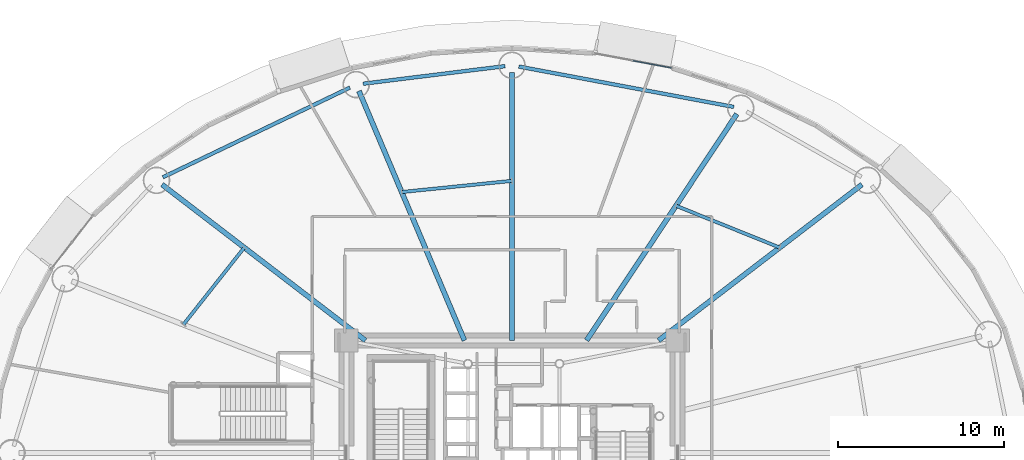
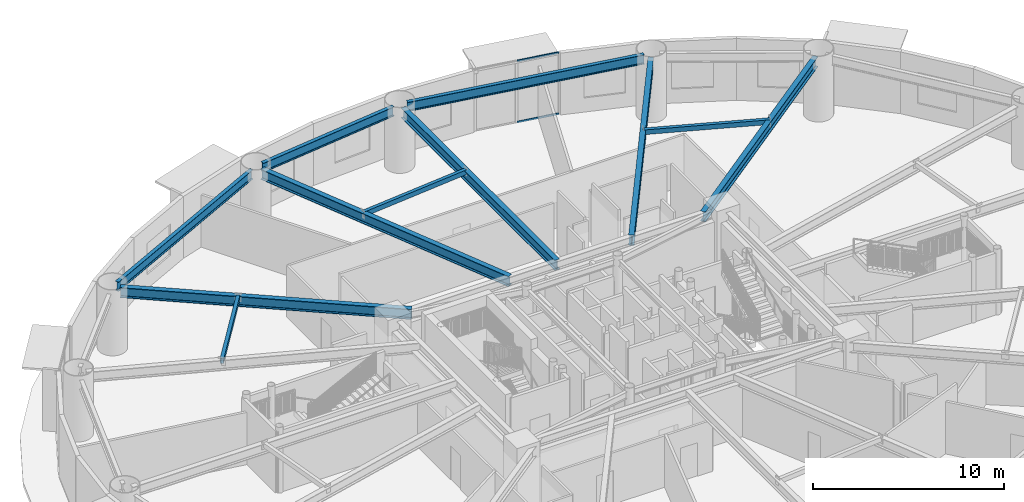
# One storey, part 11 of 35: 11 beams, 2 members, 1 element without a shape of its own.
"""IFC4 building model written with IfcOpenShell, lengths in metres."""

from ifc_helpers import new_model, si_unit, direction, frame, origin, origin_2d, place, context, subcontext, project, spatial, hollow_rectangle, i_section, extrude, source, transform, mapped, material, layer, layer_set, material_profile, profile_set, type_object, element, aggregate, save


model = new_model("IFC4")

# Units and contexts
model_context = context("Model", 3, precision=1e-05, world=origin(), true_north=direction((0.0, 1.0)))
body_context = subcontext(model_context, "Body", "Model", "MODEL_VIEW")
ifc_project = project(units=[si_unit("LENGTHUNIT", "METRE"), si_unit("AREAUNIT", "SQUARE_METRE"), si_unit("VOLUMEUNIT", "CUBIC_METRE"), si_unit("PLANEANGLEUNIT", "RADIAN"), si_unit("MASSUNIT", "GRAM", prefix="KILO")], contexts=[model_context])

# Site, building, storey
site_placement = place(None, origin())
site = spatial("IfcSite", under=ifc_project, at=site_placement, CompositionType="ELEMENT")
building_placement = place(site_placement, origin())
building = spatial("IfcBuilding", under=site, at=building_placement, Name="Linh Dai School and Residence Tower", CompositionType="ELEMENT")
storey_placement = place(building_placement, frame((0.0, 0.0, 32.39990234375)))
storey = spatial("IfcBuildingStorey", under=building, at=storey_placement, Name="L07", CompositionType="ELEMENT", Elevation=32.39990234375)

# Beams
ifc_material_1 = material(Name="Structural Steel S355JR", Category="steel")
ifc_material_profile_1 = material_profile(ifc_material_1, hollow_rectangle(XDim=0.199951171875, YDim=0.300048828125, WallThickness=0.010009765625, at=origin_2d()), Name="RHS 300x200x10")
ifc_profile_set_1 = profile_set([ifc_material_profile_1], Name="Structural Steel S355JR")
beam_type_1 = type_object("IfcBeamType", Name="BM-BX3", PredefinedType="BEAM", material=ifc_profile_set_1)
beam_1_placement = place(storey_placement, frame((52.078125, 39.3310546875, 3.800048828125), z_axis=(-0.927542803202, 0.373716935968, 0.0), x_axis=(-0.373716935968, -0.927542803202, 0.0)))
element("IfcBeam", 1, at=beam_1_placement, inside=storey, type_object=beam_type_1, Name="L07 Secondary Circumferential Floor Beam 02", PredefinedType="BEAM", context=body_context, shape_type="SweptSolid", body=[
    extrude(hollow_rectangle(XDim=0.199951171875, YDim=0.300048828125, WallThickness=0.010009765625, at=origin_2d()), origin(), (0.0, 0.0, 1.0), 6.709716796875),
])
beam_2_placement = place(storey_placement, frame((35.9951171875, 43.3369140625, 3.800048828125), z_axis=(-0.99488448114, -0.10101915257, 0.0), x_axis=(0.10101915257, -0.99488448114, 0.0)))
element("IfcBeam", 2, at=beam_2_placement, inside=storey, type_object=beam_type_1, Name="L07 Secondary Circumferential Floor Beam 03", PredefinedType="BEAM", context=body_context, shape_type="SweptSolid", body=[
    extrude(hollow_rectangle(XDim=0.199951171875, YDim=0.300048828125, WallThickness=0.010009765625, at=origin_2d()), origin(), (0.0, 0.0, 1.0), 6.65087890625),
])
beam_3_placement = place(storey_placement, frame((19.914306640625, 39.3251953125, 3.800048828125), z_axis=(-0.620188156993, -0.784453089691, 0.0), x_axis=(0.784453089691, -0.620188156993, 0.0)))
element("IfcBeam", 3, at=beam_3_placement, inside=storey, type_object=beam_type_1, Name="L07 Secondary Circumferential Floor Beam 04", PredefinedType="BEAM", context=body_context, shape_type="SweptSolid", body=[
    extrude(hollow_rectangle(XDim=0.199951171875, YDim=0.300048828125, WallThickness=0.010009765625, at=origin_2d()), origin(), (0.0, 0.0, 1.0), 5.89306640625),
])
ifc_material_profile_2 = material_profile(ifc_material_1, i_section(OverallWidth=0.219970703125, OverallDepth=0.60009765625, WebThickness=0.011962890625, FlangeThickness=0.01904296875, FilletRadius=0.02392578125, at=origin_2d()), Name="IPE 600")
ifc_profile_set_2 = profile_set([ifc_material_profile_2], Name="Structural Steel S355JR")
beam_type_2 = type_object("IfcBeamType", Name="BM-RB60", PredefinedType="BEAM", material=ifc_profile_set_2)
beam_4_placement = place(storey_placement, frame((49.32568359375, 47.776611328125, 3.650146484375), z_axis=(-0.982808389171, 0.184628465236, 0.0), x_axis=(-0.184628465236, -0.982808389171, 0.0)))
element("IfcBeam", 4, at=beam_4_placement, inside=storey, type_object=beam_type_2, Name="L07 Perimeter Elliptical Ring Beam 04", PredefinedType="BEAM", context=body_context, shape_type="SweptSolid", body=[
    extrude(i_section(OverallWidth=0.219970703125, OverallDepth=0.60009765625, WebThickness=0.011962890625, FlangeThickness=0.01904296875, FilletRadius=0.02392578125, at=origin_2d()), origin(), (0.0, 0.0, 1.0), 13.138671875),
])
beam_5_placement = place(storey_placement, frame((35.583251953125, 50.228271484375, 3.650146484375), z_axis=(-0.99240113372, -0.123044665842, 0.0), x_axis=(0.123044665842, -0.99240113372, 0.0)))
element("IfcBeam", 5, at=beam_5_placement, inside=storey, type_object=beam_type_2, Name="L07 Perimeter Elliptical Ring Beam 05", PredefinedType="BEAM", context=body_context, shape_type="SweptSolid", body=[
    extrude(i_section(OverallWidth=0.219970703125, OverallDepth=0.60009765625, WebThickness=0.011962890625, FlangeThickness=0.01904296875, FilletRadius=0.02392578125, at=origin_2d()), origin(), (0.0, 0.0, 1.0), 8.58935546875),
])
beam_6_placement = place(storey_placement, frame((26.263427734375, 48.938232421875, 3.650146484375), z_axis=(-0.901728693485, -0.432302398034, 0.0), x_axis=(0.432302398034, -0.901728693485, 0.0)))
element("IfcBeam", 6, at=beam_6_placement, inside=storey, type_object=beam_type_2, Name="L07 Perimeter Elliptical Ring Beam 06", PredefinedType="BEAM", context=body_context, shape_type="SweptSolid", body=[
    extrude(i_section(OverallWidth=0.219970703125, OverallDepth=0.60009765625, WebThickness=0.011962890625, FlangeThickness=0.01904296875, FilletRadius=0.02392578125, at=origin_2d()), origin(), (0.0, 0.0, 1.0), 12.462158203125),
])
ifc_material_profile_3 = material_profile(ifc_material_1, i_section(OverallWidth=0.300048828125, OverallDepth=0.64990234375, WebThickness=0.01611328125, FlangeThickness=0.031005859375, FilletRadius=0.027099609375, at=origin_2d()), Name="HEB 650")
ifc_profile_set_3 = profile_set([ifc_material_profile_3], Name="Structural Steel S355JR")
beam_type_3 = type_object("IfcBeamType", Name="BM-RG65", PredefinedType="BEAM", material=ifc_profile_set_3)
beam_7_placement = place(storey_placement, frame((44.804931640625, 33.75, 3.625), z_axis=(0.793637764155, 0.608390581212, 0.0), x_axis=(-0.608390581212, 0.793637764155, 0.0)))
element("IfcBeam", 7, at=beam_7_placement, inside=storey, type_object=beam_type_3, Name="L07 Primary Radial Floor Girder 03", PredefinedType="BEAM", context=body_context, shape_type="SweptSolid", body=[
    extrude(i_section(OverallWidth=0.300048828125, OverallDepth=0.64990234375, WebThickness=0.01611328125, FlangeThickness=0.031005859375, FilletRadius=0.027099609375, at=origin_2d()), origin(), (0.0, 0.0, 1.0), 15.390625),
])
beam_8_placement = place(storey_placement, frame((40.47998046875, 33.75, 3.625), z_axis=(0.55300421354, 0.833178456158, 0.0), x_axis=(-0.833178456158, 0.55300421354, 0.0)))
element("IfcBeam", 8, at=beam_8_placement, inside=storey, type_object=beam_type_3, Name="L07 Primary Radial Floor Girder 04", PredefinedType="BEAM", context=body_context, shape_type="SweptSolid", body=[
    extrude(i_section(OverallWidth=0.300048828125, OverallDepth=0.64990234375, WebThickness=0.01611328125, FlangeThickness=0.031005859375, FilletRadius=0.027099609375, at=origin_2d()), origin(), (0.0, 0.0, 1.0), 16.322021484375),
])
beam_9_placement = place(storey_placement, frame((36.0, 33.75, 3.625), z_axis=(0.0, 1.0, 0.0), x_axis=(-1.0, 0.0, 0.0)))
element("IfcBeam", 9, at=beam_9_placement, inside=storey, type_object=beam_type_3, Name="L07 Primary Radial Floor Girder 05", PredefinedType="BEAM", context=body_context, shape_type="SweptSolid", body=[
    extrude(i_section(OverallWidth=0.300048828125, OverallDepth=0.64990234375, WebThickness=0.01611328125, FlangeThickness=0.031005859375, FilletRadius=0.027099609375, at=origin_2d()), origin(), (0.0, 0.0, 1.0), 16.110107421875),
])
beam_10_placement = place(storey_placement, frame((33.14453125, 33.75, 3.625), z_axis=(-0.38962432485, 0.920973878829, 0.0), x_axis=(-0.920973878829, -0.38962432485, 0.0)))
element("IfcBeam", 10, at=beam_10_placement, inside=storey, type_object=beam_type_3, Name="L07 Primary Radial Floor Girder 06", PredefinedType="BEAM", context=body_context, shape_type="SweptSolid", body=[
    extrude(i_section(OverallWidth=0.300048828125, OverallDepth=0.64990234375, WebThickness=0.01611328125, FlangeThickness=0.031005859375, FilletRadius=0.027099609375, at=origin_2d()), origin(), (0.0, 0.0, 1.0), 16.2685546875),
])
beam_11_placement = place(storey_placement, frame((27.195068359375, 33.75, 3.625), z_axis=(-0.793637764155, 0.608390581212, 0.0), x_axis=(-0.608390581212, -0.793637764155, 0.0)))
element("IfcBeam", 11, at=beam_11_placement, inside=storey, type_object=beam_type_3, Name="L07 Primary Radial Floor Girder 07", PredefinedType="BEAM", context=body_context, shape_type="SweptSolid", body=[
    extrude(i_section(OverallWidth=0.300048828125, OverallDepth=0.64990234375, WebThickness=0.01611328125, FlangeThickness=0.031005859375, FilletRadius=0.027099609375, at=origin_2d()), origin(), (0.0, 0.0, 1.0), 15.390625),
])

# Curtain wall, members
ifc_material_2 = material(Name="Aluminium Anodised Curtain Wall", Category="aluminium")
ifc_layer = layer(ifc_material_2, 0.159912109375)
ifc_layer_set = layer_set([ifc_layer], Name="Aluminium Anodised Curtain Wall")
curtain_wall_type = type_object("IfcCurtainWallType", Name="CW-SYS-3", PredefinedType="USERDEFINED", material=ifc_layer_set)
curtain_wall_placement = place(storey_placement, origin())
curtain_wall = element("IfcCurtainWall", 12, at=curtain_wall_placement, inside=storey, type_object=curtain_wall_type, Name="L07 CW3 Curtain Wall 09", ObjectType="RIBBON CURTAIN WALL", PredefinedType="USERDEFINED")
ifc_material_3 = material(Name="Aluminium Alloy 6063-T6", Category="aluminium")
ifc_material_profile_4 = material_profile(ifc_material_3, hollow_rectangle(XDim=0.054931640625, YDim=0.1201171875, WallThickness=0.00390625, at=origin_2d()), Name="RHS 120x55x4")
ifc_profile_set_4 = profile_set([ifc_material_profile_4], Name="Aluminium Alloy 6063-T6")
member_type = type_object("IfcMemberType", Name="CW-SYS-3-TRN", PredefinedType="USERDEFINED", material=ifc_profile_set_4)
shared_shape = source(origin(), body_context, "Body", "SweptSolid", [
    extrude(hollow_rectangle(XDim=0.054931640625, YDim=0.1201171875, WallThickness=0.00390625, at=origin_2d()), origin(), (0.0, 0.0, 1.0), 2.331787109375),
])
member_1_placement = place(storey_placement, frame((43.264892578125, 50.55419921875, 0.027587890625), z_axis=(0.98277485102, -0.184806905183, 0.0), x_axis=(0.184806905183, 0.98277485102, 0.0)))
member_1 = element("IfcMember", 13, at=member_1_placement, type_object=member_type, Name="CW3 transom 2.1", ObjectType="TRANSOM", PredefinedType="USERDEFINED", context=body_context, shape_type="MappedRepresentation", body=[
    mapped(shared_shape, transform((0.0, 0.0, 0.0), x_axis=(1.0, 0.0, 0.0), y_axis=(0.0, 1.0, 0.0), z_axis=(0.0, 0.0, 1.0), scale=1.0)),
])
member_2_placement = place(storey_placement, frame((43.264892578125, 50.55419921875, 3.922607421875), z_axis=(0.98277485102, -0.184806905183, 0.0), x_axis=(0.184806905183, 0.98277485102, 0.0)))
member_2 = element("IfcMember", 14, at=member_2_placement, type_object=member_type, Name="CW3 transom 2.2", ObjectType="TRANSOM", PredefinedType="USERDEFINED", context=body_context, shape_type="MappedRepresentation", body=[
    mapped(shared_shape, transform((0.0, 0.0, 0.0), x_axis=(1.0, 0.0, 0.0), y_axis=(0.0, 1.0, 0.0), z_axis=(0.0, 0.0, 1.0), scale=1.0)),
])
aggregate(curtain_wall, [member_1, member_2])

save(model, "model.ifc")
